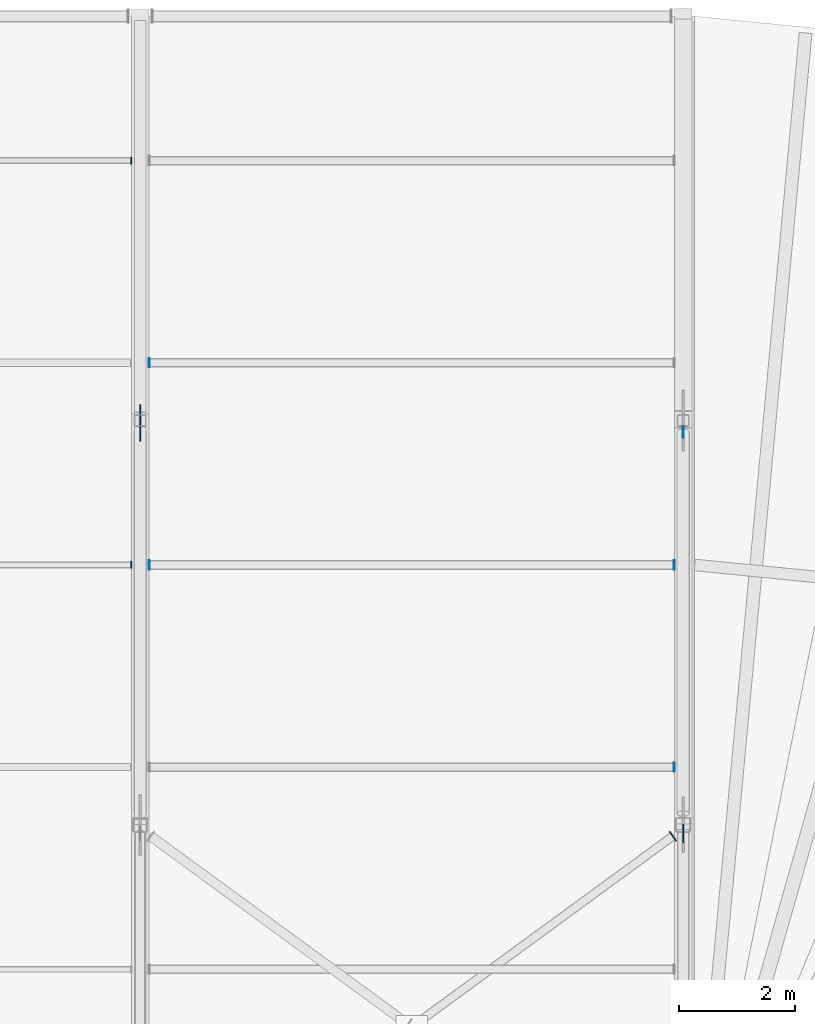
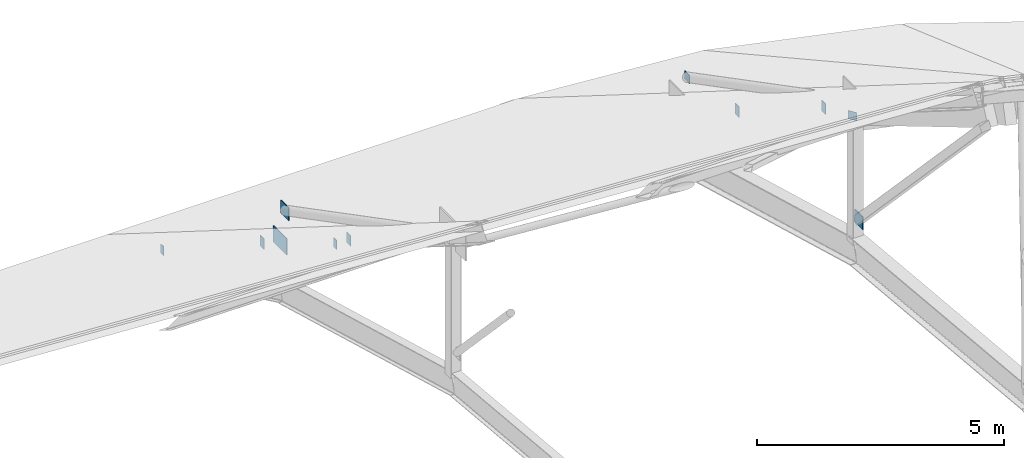
# One storey, part 62 of 66: 11 plates.
"""IFC4 building model written with IfcOpenShell, lengths in metres."""

from ifc_helpers import new_model, si_unit, direction, frame, origin, origin_2d, place, context, subcontext, project, spatial, rectangle, extrude, material, layer, layer_set, type_object, element, save


model = new_model("IFC4")

# Units and contexts
model_context = context("Model", 3, precision=1e-05, world=origin(), true_north=direction((0.0, 1.0)))
body_context = subcontext(model_context, "Body", "Model", "MODEL_VIEW")
ifc_project = project(units=[si_unit("LENGTHUNIT", "METRE"), si_unit("AREAUNIT", "SQUARE_METRE"), si_unit("VOLUMEUNIT", "CUBIC_METRE"), si_unit("PLANEANGLEUNIT", "RADIAN"), si_unit("MASSUNIT", "GRAM", prefix="KILO")], contexts=[model_context])

# Site, building, storey
site_placement = place(None, origin())
site = spatial("IfcSite", under=ifc_project, at=site_placement, CompositionType="ELEMENT")
building_placement = place(site_placement, origin())
building = spatial("IfcBuilding", under=site, at=building_placement, Name="Yeouljin Market Hall", CompositionType="ELEMENT")
storey_placement = place(building_placement, frame((0.0, 0.0, 23.39990234375)))
storey = spatial("IfcBuildingStorey", under=building, at=storey_placement, Name="RF", CompositionType="ELEMENT", Elevation=23.39990234375)

# Plates
ifc_material_1 = material(Name="Steel SM355", Category="steel")
ifc_layer_1 = layer(ifc_material_1, 0.01611328125)
ifc_layer_set_1 = layer_set([ifc_layer_1], Name="Steel SM355")
plate_type_1 = type_object("IfcPlateType", Name="CapPlate_200x200x16", PredefinedType="SHEET", material=ifc_layer_set_1)
for number, where, z_axis, x_axis, name in (
    (1, (140.800048828125, 70.804931640625, -7.142578125), (0.0, 0.0, 1.0), (0.0, 1.0, 0.0), "Hollow web end-cap plate 0048"),
    (2, (140.6201171875, 63.804443359375, -3.78271484375), (0.0, 0.0, 1.0), (-0.590183063249, 0.807269441918, 0.0), "Wind brace end-cap plate 0260"),
):
    element("IfcPlate", number, at=place(storey_placement, frame(where, z_axis=z_axis, x_axis=x_axis)), inside=storey, type_object=plate_type_1, Name=name, PredefinedType="SHEET", context=body_context, shape_type="SweptSolid", body=[
        extrude(rectangle(XDim=0.199951171875, YDim=0.01611328125, at=origin_2d()), origin(), (0.0, 0.0, 1.0), 0.199951171875),
    ])
ifc_material_2 = material(Name="Steel SM355", Category="steel")
ifc_layer_2 = layer(ifc_material_2, 0.01611328125)
ifc_layer_set_2 = layer_set([ifc_layer_2], Name="Steel SM355")
plate_type_2 = type_object("IfcPlateType", Name="CapPlate_220x120x16", PredefinedType="SHEET", material=ifc_layer_set_2)
for number, where, z_axis, x_axis, name in (
    (3, (131.241943359375, 68.5, -6.5185546875), (0.0, 0.0, 1.0), (0.0, 1.0, 0.0), "Purlin end-cap plate 0226"),
    (4, (131.241943359375, 75.5, -10.91845703125), (0.0, 0.0, 1.0), (0.0, 1.0, 0.0), "Purlin end-cap plate 0228"),
):
    element("IfcPlate", number, at=place(storey_placement, frame(where, z_axis=z_axis, x_axis=x_axis)), inside=storey, type_object=plate_type_2, Name=name, PredefinedType="SHEET", context=body_context, shape_type="SweptSolid", body=[
        extrude(rectangle(XDim=0.1201171875, YDim=0.01611328125, at=origin_2d()), origin(), (0.0, 0.0, 1.0), 0.219970703125),
    ])
ifc_material_3 = material(Name="Steel SM355", Category="steel")
ifc_layer_3 = layer(ifc_material_3, 0.01611328125)
ifc_layer_set_3 = layer_set([ifc_layer_3], Name="Steel SM355")
plate_type_3 = type_object("IfcPlateType", Name="CapPlate_260x160x16", PredefinedType="SHEET", material=ifc_layer_set_3)
for number, where, z_axis, x_axis, name in (
    (5, (140.64208984375, 65.0, -4.33837890625), (0.0, 0.0, 1.0), (0.0, 1.0, 0.0), "Purlin end-cap plate 0246"),
    (6, (131.55810546875, 68.5, -6.53857421875), (0.0, 0.0, 1.0), (0.0, 1.0, 0.0), "Purlin end-cap plate 0247"),
    (7, (140.64208984375, 68.5, -6.53857421875), (0.0, 0.0, 1.0), (0.0, 1.0, 0.0), "Purlin end-cap plate 0248"),
    (8, (131.55810546875, 72.0, -8.73828125), (0.0, 0.0, 1.0), (0.0, 1.0, 0.0), "Purlin end-cap plate 0249"),
):
    element("IfcPlate", number, at=place(storey_placement, frame(where, z_axis=z_axis, x_axis=x_axis)), inside=storey, type_object=plate_type_3, Name=name, PredefinedType="SHEET", context=body_context, shape_type="SweptSolid", body=[
        extrude(rectangle(XDim=0.159912109375, YDim=0.01611328125, at=origin_2d()), origin(), (0.0, 0.0, 1.0), 0.260009765625),
    ])
ifc_material_4 = material(Name="Steel SM355", Category="steel")
ifc_layer_4 = layer(ifc_material_4, 0.02001953125)
ifc_layer_set_4 = layer_set([ifc_layer_4], Name="Steel SM355")
plate_type_4 = type_object("IfcPlateType", Name="CapPlate_320x320x20", PredefinedType="SHEET", material=ifc_layer_set_4)
for number, where, z_axis, x_axis, name in (
    (9, (131.39990234375, 70.804931640625, -7.20263671875), (0.0, 0.0, 1.0), (0.0, 1.0, 0.0), "Hollow web end-cap plate 0044"),
    (10, (140.800048828125, 63.848876953125, -6.5), (0.0, 0.0, 1.0), (0.0, 1.0, 0.0), "Hollow web end-cap plate 0047"),
):
    element("IfcPlate", number, at=place(storey_placement, frame(where, z_axis=z_axis, x_axis=x_axis)), inside=storey, type_object=plate_type_4, Name=name, PredefinedType="SHEET", context=body_context, shape_type="SweptSolid", body=[
        extrude(rectangle(XDim=0.320068359375, YDim=0.02001953125, at=origin_2d()), origin(), (0.0, 0.0, 1.0), 0.320068359375),
    ])
ifc_material_5 = material(Name="Steel SM355", Category="steel")
ifc_layer_5 = layer(ifc_material_5, 0.02001953125)
ifc_layer_set_5 = layer_set([ifc_layer_5], Name="Steel SM355")
plate_type_5 = type_object("IfcPlateType", Name="GussetPlate_550x400x20", PredefinedType="USERDEFINED", material=ifc_layer_set_5)
plate_placement = place(storey_placement, frame((131.39990234375, 71.0, -8.099853515625), z_axis=(0.0, 0.0, 1.0), x_axis=(0.0, 1.0, 0.0)))
element("IfcPlate", 11, at=plate_placement, inside=storey, type_object=plate_type_5, Name="Truss node gusset plate 055", ObjectType="GUSSET PLATE", PredefinedType="USERDEFINED", context=body_context, shape_type="SweptSolid", body=[
    extrude(rectangle(XDim=0.550048828125, YDim=0.02001953125, at=origin_2d()), origin(), (0.0, 0.0, 1.0), 0.39990234375),
])

save(model, "model.ifc")
